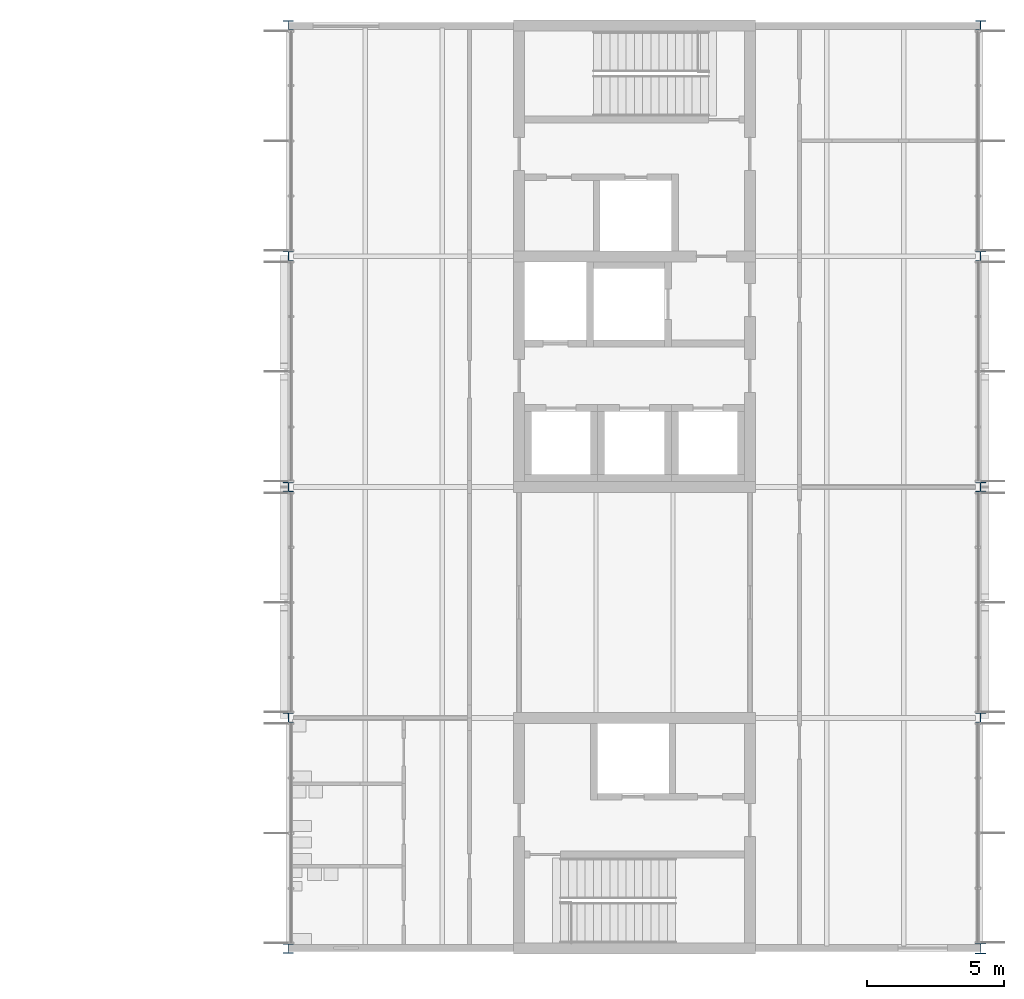
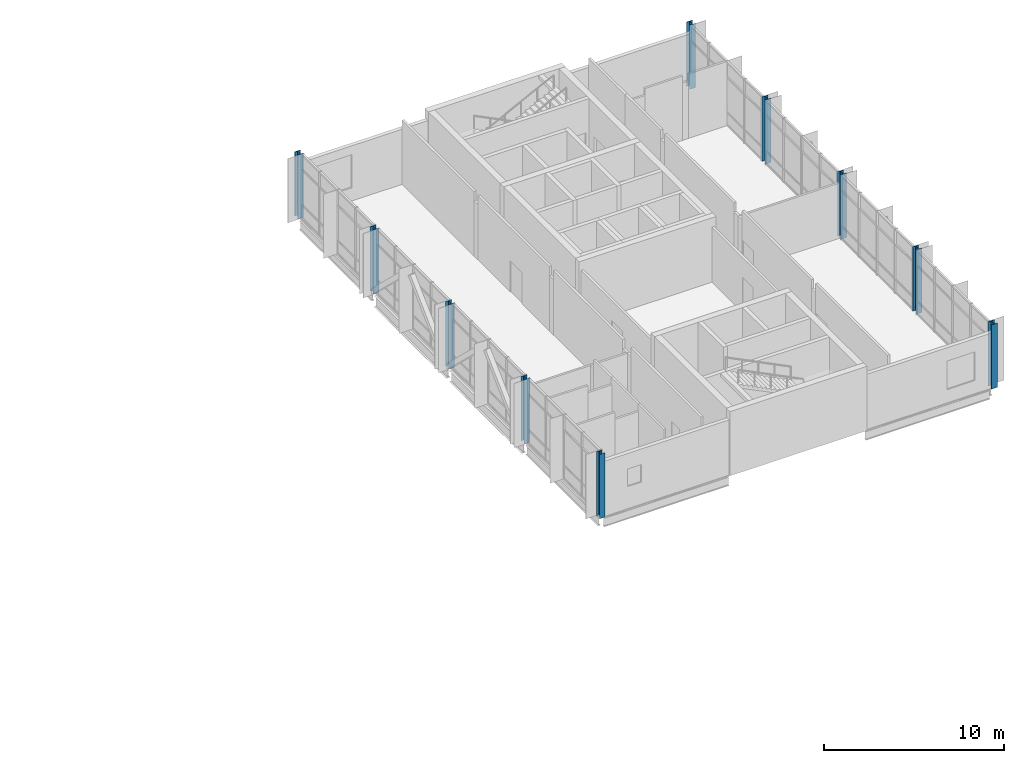
# One storey, part 1 of 14: 10 columns.
"""IFC4 building model written with IfcOpenShell, lengths in metres."""

import ifcopenshell
import ifcopenshell.guid

model = None  # the IFC model being written
_history = None  # IfcOwnerHistory: only IFC2X3 demands one
_inside = {}  # id of a spatial element -> (the spatial element, [elements in it])
_under = {}  # id of a project, library or spatial element -> (it, [spatial elements below it])
_declared = {}  # id of a project -> (the project, [libraries it declares])
_typed = {}  # id of a type object -> (the type object, [elements of that type])
_made_of = {}  # id of a material, layer set ... -> (it, [elements and type objects made of it])


def new_model(schema):
    """Start an empty IFC model of exactly this schema.

    Asked for "IFC4X3", IfcOpenShell would pick the latest addendum, in which some entities
    have other attributes; the version numbers below select the first issue.
    IFC2X3 requires an IfcOwnerHistory on every rooted entity: one is made here for all.
    """
    global model, _history
    if schema == "IFC4X3":
        model = ifcopenshell.file(schema_version=(4, 3, 0, 0))
    else:
        model = ifcopenshell.file(schema=schema)
    _inside.clear()
    _under.clear()
    _declared.clear()
    _typed.clear()
    _made_of.clear()
    _history = None
    if model.schema == "IFC2X3":
        org = make("IfcOrganization", Name="unknown")
        user = make(
            "IfcPersonAndOrganization",
            ThePerson=make("IfcPerson", FamilyName="unknown"),
            TheOrganization=org,
        )
        app = make(
            "IfcApplication",
            ApplicationDeveloper=org,
            Version="unknown",
            ApplicationFullName="unknown",
            ApplicationIdentifier="unknown",
        )
        _history = make(
            "IfcOwnerHistory",
            OwningUser=user,
            OwningApplication=app,
            ChangeAction="ADDED",
            CreationDate=0,
        )
    return model


def make(cls, **values):
    """One entity of the class cls with the attributes given. An attribute that is None is left unset."""
    return model.create_entity(
        cls, **{name: value for name, value in values.items() if value is not None}
    )


def rooted(cls, **values):
    """An entity with a GlobalId (a new one), such as an element, a storey or a relation."""
    return make(cls, GlobalId=ifcopenshell.guid.new(), OwnerHistory=_history, **values)


def si_unit(unit_type, name, prefix=None):
    """IfcSIUnit, for example si_unit("LENGTHUNIT", "METRE", prefix="MILLI")."""
    return make("IfcSIUnit", UnitType=unit_type, Prefix=prefix, Name=name)


def assignment(units):
    """IfcUnitAssignment: the units of a project."""
    return None if units is None else make("IfcUnitAssignment", Units=units)


def point(xyz):
    """IfcCartesianPoint."""
    return None if xyz is None else make("IfcCartesianPoint", Coordinates=xyz)


def direction(xyz):
    """IfcDirection."""
    return None if xyz is None else make("IfcDirection", DirectionRatios=xyz)


def frame(location, z_axis=None, x_axis=None):
    """IfcAxis2Placement3D, a coordinate frame: its origin and axes. An axis left out is left unset."""
    return make(
        "IfcAxis2Placement3D",
        Location=point(location),
        Axis=direction(z_axis),
        RefDirection=direction(x_axis),
    )


def frame_2d(location, x_axis=None):
    """IfcAxis2Placement2D, a coordinate frame in the plane: its origin and x axis."""
    return make(
        "IfcAxis2Placement2D", Location=point(location), RefDirection=direction(x_axis)
    )


def origin():
    """The frame at (0, 0, 0) with its axes left unset."""
    return frame((0.0, 0.0, 0.0))


def origin_2d():
    """The frame at (0, 0) in the plane with its x axis left unset."""
    return frame_2d((0.0, 0.0))


def place(relative_to, where):
    """IfcLocalPlacement: puts the frame where relative to a parent placement (None: the world)."""
    return make(
        "IfcLocalPlacement", PlacementRelTo=relative_to, RelativePlacement=where
    )


def context(
    kind, dimensions, precision=None, world=None, true_north=None, identifier=None
):
    """IfcGeometricRepresentationContext, for example the 3D "Model" context."""
    return make(
        "IfcGeometricRepresentationContext",
        ContextIdentifier=identifier,
        ContextType=kind,
        CoordinateSpaceDimension=dimensions,
        Precision=precision,
        WorldCoordinateSystem=world,
        TrueNorth=true_north,
    )


def subcontext(parent, identifier, kind, view, scale=None):
    """IfcGeometricRepresentationSubContext, for example "Body" below "Model"."""
    return make(
        "IfcGeometricRepresentationSubContext",
        ContextIdentifier=identifier,
        ContextType=kind,
        ParentContext=parent,
        TargetScale=scale,
        TargetView=view,
    )


def project(units=None, contexts=None):
    """IfcProject with its units and contexts."""
    return rooted(
        "IfcProject",
        Name="project",
        RepresentationContexts=contexts,
        UnitsInContext=assignment(units),
    )


def spatial(cls, under=None, at=None, **own):
    """A site, building, storey or space (cls), placed at a placement, below another one or the project."""
    s = rooted(cls, ObjectPlacement=at, **own)
    if under is not None:
        _under.setdefault(under.id(), (under, []))[1].append(s)
    return s


def profile(cls, at=None, kind="AREA", **sizes):
    """A parametric profile (cls). Its sizes go by their IFC names, for example OverallWidth=200.0."""
    return make(cls, ProfileType=kind, Position=at, **sizes)


def i_section(**sizes):
    """IfcIShapeProfileDef."""
    return profile("IfcIShapeProfileDef", **sizes)


def extrude(swept, where, along, depth):
    """IfcExtrudedAreaSolid: the profile swept, set in the frame where, extruded along a direction by depth."""
    return make(
        "IfcExtrudedAreaSolid",
        SweptArea=swept,
        Position=where,
        ExtrudedDirection=direction(along),
        Depth=depth,
    )


def shape(context_of_items, identifier, shape_type, items):
    """IfcShapeRepresentation: the items that make up one representation, for example the "Body"."""
    return make(
        "IfcShapeRepresentation",
        ContextOfItems=context_of_items,
        RepresentationIdentifier=identifier,
        RepresentationType=shape_type,
        Items=items,
    )


def material(Name=None, Category=None):
    """IfcMaterial."""
    return make("IfcMaterial", Name=Name, Category=Category)


def material_profile(
    of_material, cross_section, Name=None, Category=None, Priority=None
):
    """IfcMaterialProfile: a cross section and its material."""
    return make(
        "IfcMaterialProfile",
        Name=Name,
        Material=of_material,
        Profile=cross_section,
        Priority=Priority,
        Category=Category,
    )


def profile_set(profiles, Name=None, composite=None):
    """IfcMaterialProfileSet."""
    return make(
        "IfcMaterialProfileSet",
        Name=Name,
        MaterialProfiles=profiles,
        CompositeProfile=composite,
    )


def made_of(thing, what):
    """Note that an element or type object is made of a material, layer set ...; save() writes the relation."""
    if what is not None:
        _made_of.setdefault(what.id(), (what, []))[1].append(thing)
    return thing


def type_object(cls, material=None, **own):
    """A type object (cls), such as IfcWallType, which elements share."""
    return made_of(rooted(cls, **own), material)


def element(
    cls,
    number,
    at=None,
    inside=None,
    cuts=None,
    type_object=None,
    material=None,
    context=None,
    identifier="Body",
    shape_type=None,
    held_by="IfcProductDefinitionShape",
    body=None,
    shapes=None,
    **own,
):
    """One element of the class cls, such as IfcWall. Its Tag is "e" and its number.

    at: its placement. inside: the storey or other place that contains it. cuts: it is an
    opening in that element (IfcRelVoidsElement). A single representation is given by context,
    identifier, shape_type and body (its items); several are given by shapes. held_by: the class
    of the entity that holds the representations. save() writes the other relations.
    """
    e = rooted(cls, Tag="e%d" % number, ObjectPlacement=at, **own)
    if body is not None:
        shapes = [shape(context, identifier, shape_type, body)]
    if shapes is not None:
        e.Representation = make(held_by, Representations=shapes)
    if inside is not None:
        _inside.setdefault(inside.id(), (inside, []))[1].append(e)
    if cuts is not None:
        rooted(
            "IfcRelVoidsElement", RelatingBuildingElement=cuts, RelatedOpeningElement=e
        )
    if type_object is not None:
        _typed.setdefault(type_object.id(), (type_object, []))[1].append(e)
    return made_of(e, material)


def aggregate(whole, parts):
    """IfcRelAggregates: a whole, such as a stair, and the parts it consists of."""
    return rooted("IfcRelAggregates", RelatingObject=whole, RelatedObjects=parts)


def save(model, path):
    """Write the relations noted so far, then the file.

    IfcRelAggregates (storeys below a building ...), IfcRelContainedInSpatialStructure (elements
    in a storey), IfcRelDefinesByType, IfcRelAssociatesMaterial and IfcRelDeclares: one each for
    every whole, place, type object, material and project.
    """
    for whole, parts in _under.values():
        aggregate(whole, parts)
    for where, things in _inside.values():
        rooted(
            "IfcRelContainedInSpatialStructure",
            RelatedElements=things,
            RelatingStructure=where,
        )
    for kind, things in _typed.values():
        rooted("IfcRelDefinesByType", RelatedObjects=things, RelatingType=kind)
    for what, things in _made_of.values():
        rooted("IfcRelAssociatesMaterial", RelatedObjects=things, RelatingMaterial=what)
    for by, libraries in _declared.values():
        rooted("IfcRelDeclares", RelatingContext=by, RelatedDefinitions=libraries)
    model.write(path)


model = new_model("IFC4")

# Units and contexts
model_context = context("Model", 3, precision=1e-05, world=origin(), true_north=direction((0.0, 1.0)))
body_context = subcontext(model_context, "Body", "Model", "MODEL_VIEW")
ifc_project = project(units=[si_unit("LENGTHUNIT", "METRE"), si_unit("AREAUNIT", "SQUARE_METRE"), si_unit("VOLUMEUNIT", "CUBIC_METRE"), si_unit("PLANEANGLEUNIT", "RADIAN"), si_unit("MASSUNIT", "GRAM", prefix="KILO")], contexts=[model_context])

# Site, building, storey
site_placement = place(None, origin())
site = spatial("IfcSite", under=ifc_project, at=site_placement, CompositionType="ELEMENT")
building_placement = place(site_placement, origin())
building = spatial("IfcBuilding", under=site, at=building_placement, Name="Hlaing Beacon Police Headquarters", CompositionType="ELEMENT")
storey_placement = place(building_placement, frame((0.0, 0.0, 27.89990234375)))
storey = spatial("IfcBuildingStorey", under=building, at=storey_placement, Name="L06", CompositionType="ELEMENT", Elevation=27.89990234375)

# Columns
ifc_material_1 = material(Name="Steel ASTM A992 Grade 50", Category="steel")
ifc_material_profile_1 = material_profile(ifc_material_1, i_section(OverallWidth=0.370849609375, OverallDepth=0.36328125, WebThickness=0.013427734375, FlangeThickness=0.021728515625, FilletRadius=0.01513671875, at=origin_2d()), Name="W14x109")
ifc_profile_set_1 = profile_set([ifc_material_profile_1], Name="Steel ASTM A992 Grade 50")
column_type_1 = type_object("IfcColumnType", Name="Steel column W14x109", PredefinedType="COLUMN", material=ifc_profile_set_1)
for number, where, z_axis, x_axis, name in (
    (1, (100.800048828125, 42.0, 0.0), (0.0, 0.0, 1.0), (1.0, 0.0, 0.0), "STR-COL-L06-N6"),
    (2, (100.800048828125, 50.39990234375, 0.0), (0.0, 0.0, 1.0), (1.0, 0.0, 0.0), "STR-COL-L06-N7"),
    (3, (100.800048828125, 58.800048828125, 0.0), (0.0, 0.0, 1.0), (1.0, 0.0, 0.0), "STR-COL-L06-N8"),
    (4, (126.0, 42.0, 0.0), (0.0, 0.0, 1.0), (1.0, 0.0, 0.0), "STR-COL-L06-R6"),
    (5, (126.0, 50.39990234375, 0.0), (0.0, 0.0, 1.0), (1.0, 0.0, 0.0), "STR-COL-L06-R7"),
    (6, (126.0, 58.800048828125, 0.0), (0.0, 0.0, 1.0), (1.0, 0.0, 0.0), "STR-COL-L06-R8"),
):
    element("IfcColumn", number, at=place(storey_placement, frame(where, z_axis=z_axis, x_axis=x_axis)), inside=storey, type_object=column_type_1, Name=name, PredefinedType="COLUMN", context=body_context, shape_type="SweptSolid", body=[
        extrude(i_section(OverallWidth=0.370849609375, OverallDepth=0.36328125, WebThickness=0.013427734375, FlangeThickness=0.021728515625, FilletRadius=0.01513671875, at=origin_2d()), origin(), (0.0, 0.0, 1.0), 4.3701171875),
    ])
ifc_material_2 = material(Name="Steel ASTM A992 Grade 50", Category="steel")
ifc_material_profile_2 = material_profile(ifc_material_2, i_section(OverallWidth=0.396240234375, OverallDepth=0.381103515625, WebThickness=0.01904296875, FlangeThickness=0.0302734375, FilletRadius=0.01513671875, at=origin_2d()), Name="W14x159")
ifc_profile_set_2 = profile_set([ifc_material_profile_2], Name="Steel ASTM A992 Grade 50")
column_type_2 = type_object("IfcColumnType", Name="Steel column W14x159", PredefinedType="COLUMN", material=ifc_profile_set_2)
column_placement = place(storey_placement, frame((126.0, 33.60009765625, 0.0), z_axis=(0.0, 0.0, 1.0), x_axis=(1.0, 0.0, 0.0)))
element("IfcColumn", 7, at=column_placement, inside=storey, type_object=column_type_2, Name="STR-COL-L06-R5", PredefinedType="COLUMN", context=body_context, shape_type="SweptSolid", body=[
    extrude(i_section(OverallWidth=0.396240234375, OverallDepth=0.381103515625, WebThickness=0.01904296875, FlangeThickness=0.0302734375, FilletRadius=0.01513671875, at=origin_2d()), origin(), (0.0, 0.0, 1.0), 4.3701171875),
])
ifc_material_3 = material(Name="Steel ASTM A992 Grade 50", Category="steel")
ifc_material_profile_3 = material_profile(ifc_material_3, i_section(OverallWidth=0.368408203125, OverallDepth=0.355712890625, WebThickness=0.01123046875, FlangeThickness=0.01806640625, FilletRadius=0.01513671875, at=origin_2d()), Name="W14x90")
ifc_profile_set_3 = profile_set([ifc_material_profile_3], Name="Steel ASTM A992 Grade 50")
column_type_3 = type_object("IfcColumnType", Name="Steel column W14x90", PredefinedType="COLUMN", material=ifc_profile_set_3)
for number, where, z_axis, x_axis, name in (
    (8, (100.800048828125, 33.60009765625, 0.0), (0.0, 0.0, 1.0), (1.0, 0.0, 0.0), "STR-COL-L06-N5"),
    (9, (100.800048828125, 67.199951171875, 0.0), (0.0, 0.0, 1.0), (1.0, 0.0, 0.0), "STR-COL-L06-N9"),
    (10, (126.0, 67.199951171875, 0.0), (0.0, 0.0, 1.0), (1.0, 0.0, 0.0), "STR-COL-L06-R9"),
):
    element("IfcColumn", number, at=place(storey_placement, frame(where, z_axis=z_axis, x_axis=x_axis)), inside=storey, type_object=column_type_3, Name=name, PredefinedType="COLUMN", context=body_context, shape_type="SweptSolid", body=[
        extrude(i_section(OverallWidth=0.368408203125, OverallDepth=0.355712890625, WebThickness=0.01123046875, FlangeThickness=0.01806640625, FilletRadius=0.01513671875, at=origin_2d()), origin(), (0.0, 0.0, 1.0), 4.3701171875),
    ])

save(model, "model.ifc")
